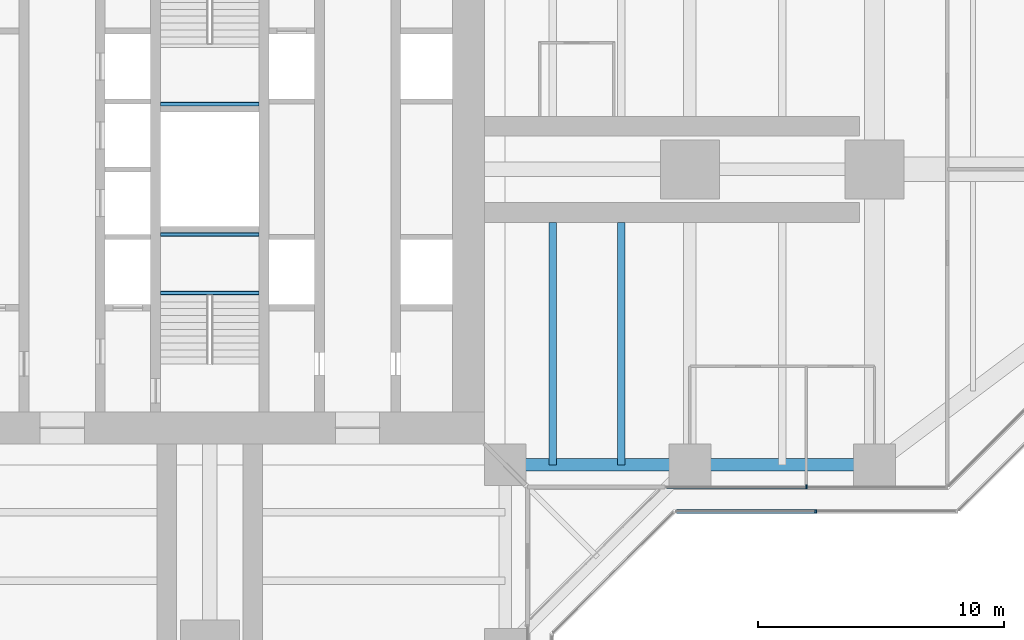
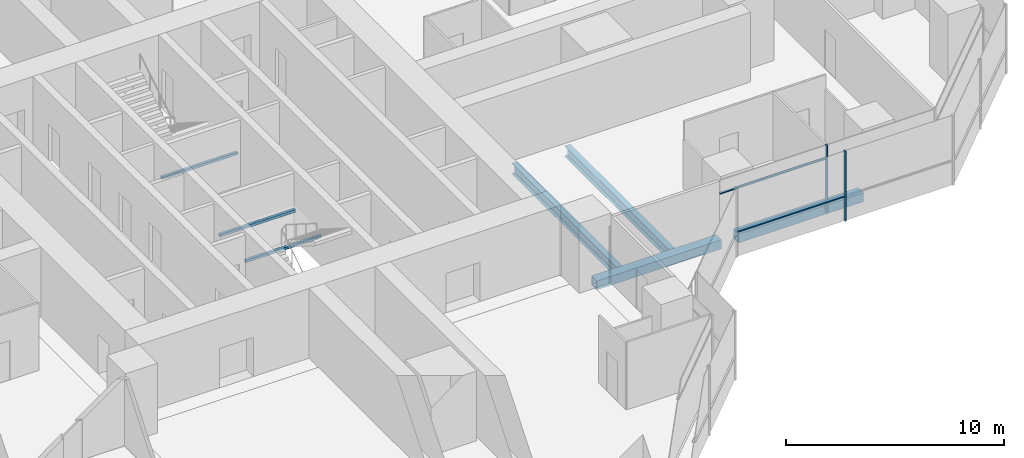
# One storey, part 5 of 20: 7 beams, 4 members, 2 elements without a shape of their own.
"""IFC4 building model written with IfcOpenShell, lengths in metres."""

from ifc_helpers import new_model, si_unit, direction, frame, origin, origin_2d, place, context, subcontext, project, spatial, rectangle, hollow_rectangle, i_section, extrude, material, material_profile, profile_set, type_object, element, aggregate, save


model = new_model("IFC4")

# Units and contexts
model_context = context("Model", 3, precision=1e-05, world=origin(), true_north=direction((0.0, 1.0)))
body_context = subcontext(model_context, "Body", "Model", "MODEL_VIEW")
ifc_project = project(units=[si_unit("LENGTHUNIT", "METRE"), si_unit("AREAUNIT", "SQUARE_METRE"), si_unit("VOLUMEUNIT", "CUBIC_METRE"), si_unit("PLANEANGLEUNIT", "RADIAN"), si_unit("MASSUNIT", "GRAM", prefix="KILO")], contexts=[model_context])

# Site, building, storey
site_placement = place(None, origin())
site = spatial("IfcSite", under=ifc_project, at=site_placement, CompositionType="ELEMENT")
building_placement = place(site_placement, origin())
building = spatial("IfcBuilding", under=site, at=building_placement, Name="Mizan Broadcast Tower", CompositionType="ELEMENT")
storey_placement = place(building_placement, frame((0.0, 0.0, 151.5)))
storey = spatial("IfcBuildingStorey", under=building, at=storey_placement, Name="L34", CompositionType="ELEMENT", Elevation=151.5)

# Beams
ifc_material_1 = material(Name="Steel S355", Category="steel")
ifc_material_profile_1 = material_profile(ifc_material_1, hollow_rectangle(XDim=0.5, YDim=0.5, WallThickness=0.030029296875, at=origin_2d()), Name="BOX 500x500x30")
ifc_profile_set_1 = profile_set([ifc_material_profile_1], Name="Steel S355")
beam_type_1 = type_object("IfcBeamType", Name="EDGE BEAM BOX 500x500x30", PredefinedType="SPANDREL", material=ifc_profile_set_1)
for number, where, z_axis, x_axis, name in (
    (1, (12.449951171875, -12.0, -0.3798828125), (1.0, 0.0, 0.0), (0.0, 1.0, 0.0), "Edge beam BOX 500x500x30 L34 east arm"),
    (2, (19.949951171875, -12.0, -0.3798828125), (1.0, 0.0, 0.0), (0.0, 1.0, 0.0), "Edge beam BOX 500x500x30 L34 east arm"),
):
    element("IfcBeam", number, at=place(storey_placement, frame(where, z_axis=z_axis, x_axis=x_axis)), inside=storey, type_object=beam_type_1, Name=name, PredefinedType="SPANDREL", context=body_context, shape_type="SweptSolid", body=[
        extrude(hollow_rectangle(XDim=0.5, YDim=0.5, WallThickness=0.030029296875, at=origin_2d()), origin(), (0.0, 0.0, 1.0), 6.60009765625),
    ])

# Curtain wall, members
ifc_material_2 = material(Name="Aluminium framed glazing", Category="aluminium")
curtain_wall_type_1 = type_object("IfcCurtainWallType", Name="INNER SKIN MID ZONE", PredefinedType="USERDEFINED", material=ifc_material_2)
curtain_wall_1_placement = place(storey_placement, origin())
curtain_wall_1 = element("IfcCurtainWall", 3, at=curtain_wall_1_placement, inside=storey, type_object=curtain_wall_type_1, Name="Inner skin mid zone L34 E side", ObjectType="INNER SKIN MID ZONE", PredefinedType="USERDEFINED")
ifc_material_3 = material(Name="Aluminium, pale anodised", Category="aluminium")
ifc_material_profile_2 = material_profile(ifc_material_3, rectangle(XDim=0.159912109375, YDim=0.06005859375, at=origin_2d()), Name="MULLION 160x60")
ifc_profile_set_2 = profile_set([ifc_material_profile_2], Name="Aluminium, pale anodised")
member_type_1 = type_object("IfcMemberType", Name="INNER SKIN MULLION 60x160", PredefinedType="MULLION", material=ifc_profile_set_2)
member_1_placement = place(storey_placement, frame((24.229248046875, -12.89990234375, 0.0), z_axis=(0.0, 0.0, 1.0), x_axis=(0.0, 1.0, 0.0)))
member_1 = element("IfcMember", 4, at=member_1_placement, type_object=member_type_1, Name="Inner skin mid zone L34 E side mullion 2", PredefinedType="MULLION", context=body_context, shape_type="SweptSolid", body=[
    extrude(rectangle(XDim=0.159912109375, YDim=0.06005859375, at=origin_2d()), origin(), (0.0, 0.0, 1.0), 3.77001953125),
])
ifc_material_4 = material(Name="Aluminium, pale anodised", Category="aluminium")
ifc_material_profile_3 = material_profile(ifc_material_4, rectangle(XDim=0.1201171875, YDim=0.06005859375, at=origin_2d()), Name="TRANSOM 120x60")
ifc_profile_set_3 = profile_set([ifc_material_profile_3], Name="Aluminium, pale anodised")
member_type_2 = type_object("IfcMemberType", Name="INNER SKIN TRANSOM 60x120", PredefinedType="USERDEFINED", material=ifc_profile_set_3)
member_2_placement = place(storey_placement, frame((18.56005859375, -12.89990234375, 3.030029296875), z_axis=(1.0, 0.0, 0.0), x_axis=(0.0, 1.0, 0.0)))
member_2 = element("IfcMember", 5, at=member_2_placement, type_object=member_type_2, Name="Inner skin mid zone L34 E side transom 1.1", ObjectType="TRANSOM", PredefinedType="USERDEFINED", context=body_context, shape_type="SweptSolid", body=[
    extrude(rectangle(XDim=0.1201171875, YDim=0.06005859375, at=origin_2d()), origin(), (0.0, 0.0, 1.0), 5.63916015625),
])
aggregate(curtain_wall_1, [member_1, member_2])

# Beams
ifc_material_5 = material(Name="Steel S355", Category="steel")
ifc_material_profile_4 = material_profile(ifc_material_5, hollow_rectangle(XDim=0.14990234375, YDim=0.14990234375, WallThickness=0.008056640625, InnerFilletRadius=0.008056640625, OuterFilletRadius=0.011962890625, at=origin_2d()), Name="SHS 150x150x8")
ifc_profile_set_4 = profile_set([ifc_material_profile_4], Name="Steel S355")
beam_type_2 = type_object("IfcBeamType", Name="LANDING TRIMMER SHS 150x150x8", PredefinedType="BEAM", material=ifc_profile_set_4)
for number, where, z_axis, x_axis, name in (
    (6, (-2.0, -5.02490234375, 1.675048828125), (1.0, 0.0, 0.0), (0.0, 1.0, 0.0), "Stair A landing trimmer L34"),
    (7, (-2.0, -2.64990234375, 1.675048828125), (1.0, 0.0, 0.0), (0.0, 1.0, 0.0), "Stair A landing trimmer L34"),
    (8, (2.0, 2.64990234375, 1.675048828125), (-1.0, 0.0, 0.0), (0.0, -1.0, 0.0), "Stair B landing trimmer L34"),
):
    element("IfcBeam", number, at=place(storey_placement, frame(where, z_axis=z_axis, x_axis=x_axis)), inside=storey, type_object=beam_type_2, Name=name, PredefinedType="BEAM", context=body_context, shape_type="SweptSolid", body=[
        extrude(hollow_rectangle(XDim=0.14990234375, YDim=0.14990234375, WallThickness=0.008056640625, InnerFilletRadius=0.008056640625, OuterFilletRadius=0.011962890625, at=origin_2d()), origin(), (0.0, 0.0, 1.0), 4.0),
    ])

# Curtain wall, members
ifc_material_6 = material(Name="Aluminium framed glazing", Category="aluminium")
curtain_wall_type_2 = type_object("IfcCurtainWallType", Name="OUTER SKIN", PredefinedType="USERDEFINED", material=ifc_material_6)
curtain_wall_2_placement = place(storey_placement, origin())
curtain_wall_2 = element("IfcCurtainWall", 9, at=curtain_wall_2_placement, inside=storey, type_object=curtain_wall_type_2, Name="Outer skin L34 E side", ObjectType="OUTER SKIN", PredefinedType="USERDEFINED")
ifc_material_7 = material(Name="Aluminium, pale anodised", Category="aluminium")
ifc_material_profile_5 = material_profile(ifc_material_7, rectangle(XDim=0.159912109375, YDim=0.080078125, at=origin_2d()), Name="MULLION 160x80")
ifc_profile_set_5 = profile_set([ifc_material_profile_5], Name="Aluminium, pale anodised")
member_type_3 = type_object("IfcMemberType", Name="OUTER SKIN MULLION 80x160", PredefinedType="MULLION", material=ifc_profile_set_5)
member_3_placement = place(storey_placement, frame((24.622802734375, -13.89990234375, 0.0), z_axis=(0.0, 0.0, 1.0), x_axis=(0.0, 1.0, 0.0)))
member_3 = element("IfcMember", 10, at=member_3_placement, type_object=member_type_3, Name="Outer skin L34 E side mullion 2", PredefinedType="MULLION", context=body_context, shape_type="SweptSolid", body=[
    extrude(rectangle(XDim=0.159912109375, YDim=0.080078125, at=origin_2d()), origin(), (0.0, 0.0, 1.0), 3.89990234375),
])
ifc_material_8 = material(Name="Aluminium, pale anodised", Category="aluminium")
ifc_material_profile_6 = material_profile(ifc_material_8, rectangle(XDim=0.159912109375, YDim=0.06005859375, at=origin_2d()), Name="TRANSOM 160x60")
ifc_profile_set_6 = profile_set([ifc_material_profile_6], Name="Aluminium, pale anodised")
member_type_4 = type_object("IfcMemberType", Name="OUTER SKIN TRANSOM 60x160", PredefinedType="USERDEFINED", material=ifc_profile_set_6)
member_4_placement = place(storey_placement, frame((18.952880859375, -13.89990234375, 1.39990234375), z_axis=(1.0, 0.0, 0.0), x_axis=(0.0, 1.0, 0.0)))
member_4 = element("IfcMember", 11, at=member_4_placement, type_object=member_type_4, Name="Outer skin L34 E side transom 1.1", ObjectType="TRANSOM", PredefinedType="USERDEFINED", context=body_context, shape_type="SweptSolid", body=[
    extrude(rectangle(XDim=0.159912109375, YDim=0.06005859375, at=origin_2d()), origin(), (0.0, 0.0, 1.0), 5.6298828125),
])
aggregate(curtain_wall_2, [member_3, member_4])

# Beams
ifc_material_9 = material(Name="Steel S355", Category="steel")
ifc_material_profile_7 = material_profile(ifc_material_9, i_section(OverallWidth=0.300048828125, OverallDepth=0.590087890625, WebThickness=0.012939453125, FlangeThickness=0.02490234375, FilletRadius=0.027099609375, at=origin_2d()), Name="HEA 600")
ifc_profile_set_7 = profile_set([ifc_material_profile_7], Name="Steel S355")
beam_type_3 = type_object("IfcBeamType", Name="SECONDARY BEAM HEA 600", PredefinedType="JOIST", material=ifc_profile_set_7)
for number, where, z_axis, x_axis, name in (
    (12, (13.933349609375, -12.0, -0.425048828125), (0.0, 1.0, 0.0), (-1.0, 0.0, 0.0), "Secondary beam HEA 600 L34 east arm"),
    (13, (16.716552734375, -12.0, -0.425048828125), (0.0, 1.0, 0.0), (-1.0, 0.0, 0.0), "Secondary beam HEA 600 L34 east arm"),
):
    element("IfcBeam", number, at=place(storey_placement, frame(where, z_axis=z_axis, x_axis=x_axis)), inside=storey, type_object=beam_type_3, Name=name, PredefinedType="JOIST", context=body_context, shape_type="SweptSolid", body=[
        extrude(i_section(OverallWidth=0.300048828125, OverallDepth=0.590087890625, WebThickness=0.012939453125, FlangeThickness=0.02490234375, FilletRadius=0.027099609375, at=origin_2d()), origin(), (0.0, 0.0, 1.0), 9.85009765625),
    ])

save(model, "model.ifc")
